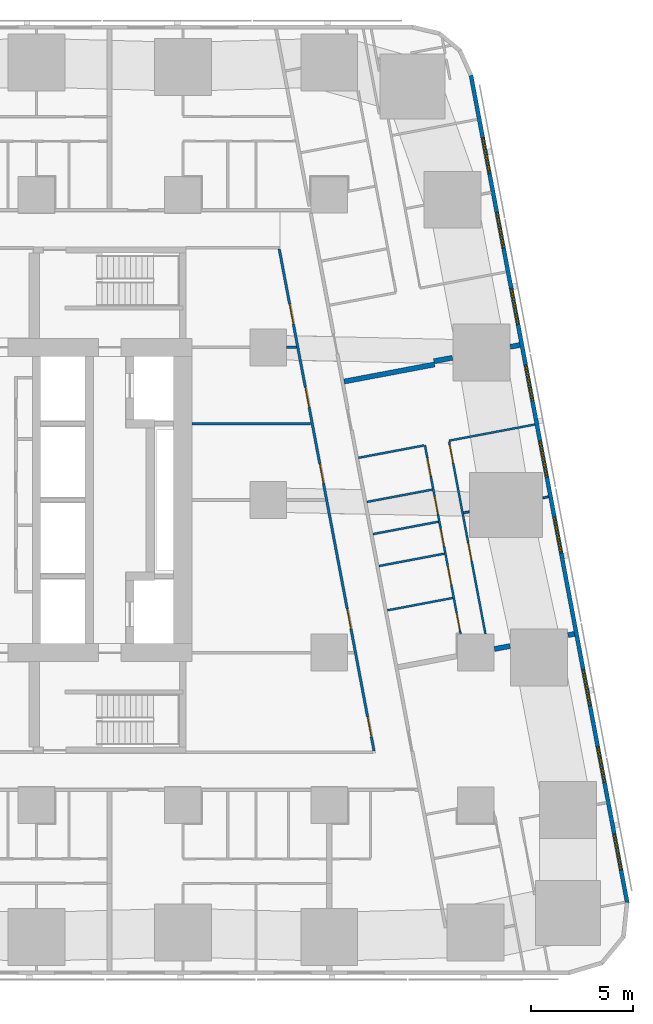
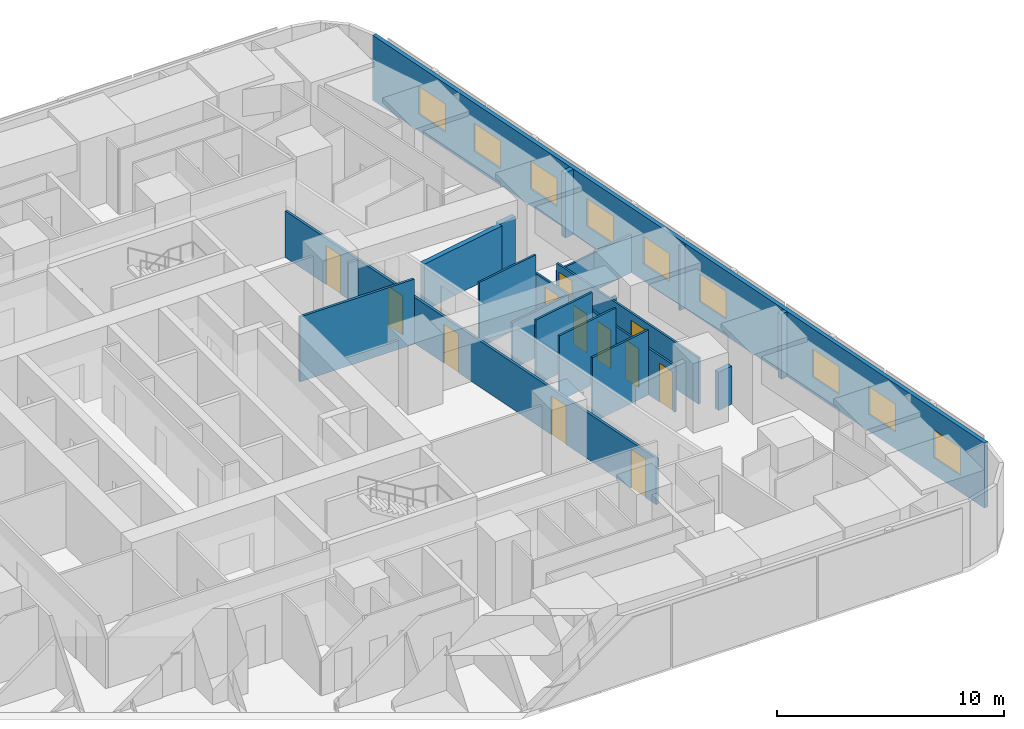
# One storey, part 10 of 18: 19 walls, 12 doors, 9 windows, 21 openings.
"""IFC4 building model written with IfcOpenShell, lengths in metres."""

from ifc_helpers import new_model, si_unit, direction, frame, frame_2d, origin, place, context, subcontext, project, spatial, rectangle, extrude, material, layer, layer_set, type_object, element, fill, save


model = new_model("IFC4")

# Units and contexts
model_context = context("Model", 3, precision=1e-05, world=origin(), true_north=direction((0.0, 1.0)))
body_context = subcontext(model_context, "Body", "Model", "MODEL_VIEW")
ifc_project = project(units=[si_unit("LENGTHUNIT", "METRE"), si_unit("AREAUNIT", "SQUARE_METRE"), si_unit("VOLUMEUNIT", "CUBIC_METRE"), si_unit("PLANEANGLEUNIT", "RADIAN"), si_unit("MASSUNIT", "GRAM", prefix="KILO")], contexts=[model_context])

# Site, building, storey
site_placement = place(None, origin())
site = spatial("IfcSite", under=ifc_project, at=site_placement, CompositionType="ELEMENT")
building_placement = place(site_placement, origin())
building = spatial("IfcBuilding", under=site, at=building_placement, Name="Sheger Commons Tower", CompositionType="ELEMENT")
storey_placement = place(building_placement, frame((0.0, 0.0, 31.25)))
storey = spatial("IfcBuildingStorey", under=building, at=storey_placement, Name="L07", CompositionType="ELEMENT", Elevation=31.25)

# Walls
ifc_material_1 = material(Name="Dense concrete block masonry, plastered both sides (separating wall between flats)", Category="masonry")
ifc_layer_1 = layer(ifc_material_1, 0.25)
ifc_layer_set_1 = layer_set([ifc_layer_1], Name="DEMISING WALL 250")
wall_type_1 = type_object("IfcWallType", Name="DEMISING WALL 250", PredefinedType="SOLIDWALL", material=ifc_layer_set_1)
wall_1_placement = place(storey_placement, frame((45.3720703125, 30.12109375, 0.0), z_axis=(0.0, 0.0, 1.0), x_axis=(-0.982352019699, -0.187041464366, 0.0)))
element("IfcWall", 1, at=wall_1_placement, inside=storey, type_object=wall_type_1, Name="Demising wall L07", PredefinedType="SOLIDWALL", context=body_context, shape_type="SweptSolid", body=[
    extrude(rectangle(XDim=0.476318359375, YDim=0.25, at=frame_2d((0.23828125, 0.0))), origin(), (0.0, 0.0, 1.0), 3.5),
])
wall_2_placement = place(storey_placement, frame((42.055908203125, 29.493896484375, 0.0), z_axis=(0.0, 0.0, 1.0), x_axis=(-0.982587178881, -0.185802141803, 0.0)))
element("IfcWall", 2, at=wall_2_placement, inside=storey, type_object=wall_type_1, Name="Demising wall L07", PredefinedType="SOLIDWALL", context=body_context, shape_type="SweptSolid", body=[
    extrude(rectangle(XDim=0.925048828125, YDim=0.25, at=frame_2d((0.46240234375, 0.0))), origin(), (0.0, 0.0, 1.0), 2.5),
])
wall_3_placement = place(storey_placement, frame((41.177001953125, 29.1640625, 0.0), z_axis=(0.0, 0.0, 1.0), x_axis=(-0.982612837616, -0.185666398014, 0.0)))
element("IfcWall", 3, at=wall_3_placement, inside=storey, type_object=wall_type_1, Name="Demising wall L07", PredefinedType="SOLIDWALL", context=body_context, shape_type="SweptSolid", body=[
    extrude(rectangle(XDim=4.524658203125, YDim=0.25, at=frame_2d((2.26220703125, 0.0))), origin(), (0.0, 0.0, 1.0), 2.5),
])
wall_4_placement = place(storey_placement, frame((48.054931640625, 15.9169921875, 0.0), z_axis=(0.0, 0.0, 1.0), x_axis=(-0.982510408223, -0.186207673669, 0.0)))
element("IfcWall", 4, at=wall_4_placement, inside=storey, type_object=wall_type_1, Name="Demising wall L07", PredefinedType="SOLIDWALL", context=body_context, shape_type="SweptSolid", body=[
    extrude(rectangle(XDim=0.322509765625, YDim=0.25, at=frame_2d((0.1611328125, 0.0))), origin(), (0.0, 0.0, 1.0), 3.5),
])
wall_5_placement = place(storey_placement, frame((44.889892578125, 15.319091796875, 0.0), z_axis=(0.0, 0.0, 1.0), x_axis=(-0.982540856152, -0.186046945666, 0.0)))
element("IfcWall", 5, at=wall_5_placement, inside=storey, type_object=wall_type_1, Name="Demising wall L07", PredefinedType="SOLIDWALL", context=body_context, shape_type="SweptSolid", body=[
    extrude(rectangle(XDim=0.779541015625, YDim=0.25, at=frame_2d((0.3896484375, 0.0))), origin(), (0.0, 0.0, 1.0), 2.050048828125),
])

# Wall, openings, windows
ifc_material_2 = material(Name="Rendered concrete block masonry, dark grey", Category="masonry")
ifc_layer_2 = layer(ifc_material_2, 0.199951171875)
ifc_layer_set_2 = layer_set([ifc_layer_2], Name="FACADE WALL 200")
wall_type_2 = type_object("IfcWallType", Name="FACADE WALL 200", PredefinedType="SOLIDWALL", material=ifc_layer_set_2)
wall_6_placement = place(storey_placement, frame((50.653076171875, 2.702880859375, 0.0), z_axis=(0.0, 0.0, 1.0), x_axis=(-0.185612026696, 0.982623109613, 0.0)))
wall_6 = element("IfcWall", 6, at=wall_6_placement, inside=storey, type_object=wall_type_2, Name="Facade wall L07", PredefinedType="SOLIDWALL", context=body_context, shape_type="SweptSolid", body=[
    extrude(rectangle(XDim=41.393310546875, YDim=0.199951171875, at=frame_2d((20.69677734375, 0.0))), origin(), (0.0, 0.0, 1.0), 3.5),
])
opening_1_placement = place(wall_6_placement, frame((1.633056640625, 0.0, 0.89990234375)))
opening_1 = element("IfcOpeningElement", 7, at=opening_1_placement, cuts=wall_6, Name="Opening W2", PredefinedType="OPENING", context=body_context, shape_type="SweptSolid", body=[
    extrude(rectangle(XDim=1.800048828125, YDim=1.5, at=frame_2d((0.89990234375, 0.75))), frame((0.0, 0.10986328125, 0.0), z_axis=(0.0, -1.0, 0.0), x_axis=(1.0, 0.0, 0.0)), (0.0, 0.0, 1.0), 0.219970703125),
])
opening_2_placement = place(wall_6_placement, frame((6.031982421875, 0.0, 0.89990234375)))
opening_2 = element("IfcOpeningElement", 8, at=opening_2_placement, cuts=wall_6, Name="Opening W2", PredefinedType="OPENING", context=body_context, shape_type="SweptSolid", body=[
    extrude(rectangle(XDim=1.800048828125, YDim=1.5, at=frame_2d((0.89990234375, 0.75))), frame((0.0, 0.10986328125, 0.0), z_axis=(0.0, -1.0, 0.0), x_axis=(1.0, 0.0, 0.0)), (0.0, 0.0, 1.0), 0.219970703125),
])
opening_3_placement = place(wall_6_placement, frame((9.847900390625, 0.0, 0.89990234375)))
opening_3 = element("IfcOpeningElement", 9, at=opening_3_placement, cuts=wall_6, Name="Opening W2", PredefinedType="OPENING", context=body_context, shape_type="SweptSolid", body=[
    extrude(rectangle(XDim=1.800048828125, YDim=1.5, at=frame_2d((0.89990234375, 0.75))), frame((0.0, 0.10986328125, 0.0), z_axis=(0.0, -1.0, 0.0), x_axis=(1.0, 0.0, 0.0)), (0.0, 0.0, 1.0), 0.219970703125),
])
opening_4_placement = place(wall_6_placement, frame((17.48095703125, 0.0, 0.89990234375)))
opening_4 = element("IfcOpeningElement", 10, at=opening_4_placement, cuts=wall_6, Name="Opening W2", PredefinedType="OPENING", context=body_context, shape_type="SweptSolid", body=[
    extrude(rectangle(XDim=1.800048828125, YDim=1.5, at=frame_2d((0.89990234375, 0.75))), frame((0.0, 0.10986328125, 0.0), z_axis=(0.0, -1.0, 0.0), x_axis=(1.0, 0.0, 0.0)), (0.0, 0.0, 1.0), 0.219970703125),
])
opening_5_placement = place(wall_6_placement, frame((21.297119140625, 0.0, 0.89990234375)))
opening_5 = element("IfcOpeningElement", 11, at=opening_5_placement, cuts=wall_6, Name="Opening W2", PredefinedType="OPENING", context=body_context, shape_type="SweptSolid", body=[
    extrude(rectangle(XDim=1.800048828125, YDim=1.5, at=frame_2d((0.89990234375, 0.75))), frame((0.0, 0.10986328125, 0.0), z_axis=(0.0, -1.0, 0.0), x_axis=(1.0, 0.0, 0.0)), (0.0, 0.0, 1.0), 0.219970703125),
])
opening_6_placement = place(wall_6_placement, frame((25.113037109375, 0.0, 0.89990234375)))
opening_6 = element("IfcOpeningElement", 12, at=opening_6_placement, cuts=wall_6, Name="Opening W2", PredefinedType="OPENING", context=body_context, shape_type="SweptSolid", body=[
    extrude(rectangle(XDim=1.800048828125, YDim=1.5, at=frame_2d((0.89990234375, 0.75))), frame((0.0, 0.10986328125, 0.0), z_axis=(0.0, -1.0, 0.0), x_axis=(1.0, 0.0, 0.0)), (0.0, 0.0, 1.0), 0.219970703125),
])
opening_7_placement = place(wall_6_placement, frame((28.929931640625, 0.0, 0.89990234375)))
opening_7 = element("IfcOpeningElement", 13, at=opening_7_placement, cuts=wall_6, Name="Opening W2", PredefinedType="OPENING", context=body_context, shape_type="SweptSolid", body=[
    extrude(rectangle(XDim=1.800048828125, YDim=1.5, at=frame_2d((0.89990234375, 0.75))), frame((0.0, 0.10986328125, 0.0), z_axis=(0.0, -1.0, 0.0), x_axis=(1.0, 0.0, 0.0)), (0.0, 0.0, 1.0), 0.219970703125),
])
opening_8_placement = place(wall_6_placement, frame((32.74609375, 0.0, 0.89990234375)))
opening_8 = element("IfcOpeningElement", 14, at=opening_8_placement, cuts=wall_6, Name="Opening W2", PredefinedType="OPENING", context=body_context, shape_type="SweptSolid", body=[
    extrude(rectangle(XDim=1.800048828125, YDim=1.5, at=frame_2d((0.89990234375, 0.75))), frame((0.0, 0.10986328125, 0.0), z_axis=(0.0, -1.0, 0.0), x_axis=(1.0, 0.0, 0.0)), (0.0, 0.0, 1.0), 0.219970703125),
])
opening_9_placement = place(wall_6_placement, frame((36.48095703125, 0.0, 0.89990234375)))
opening_9 = element("IfcOpeningElement", 15, at=opening_9_placement, cuts=wall_6, Name="Opening W2", PredefinedType="OPENING", context=body_context, shape_type="SweptSolid", body=[
    extrude(rectangle(XDim=1.800048828125, YDim=1.5, at=frame_2d((0.89990234375, 0.75))), frame((0.0, 0.10986328125, 0.0), z_axis=(0.0, -1.0, 0.0), x_axis=(1.0, 0.0, 0.0)), (0.0, 0.0, 1.0), 0.219970703125),
])
ifc_material_3 = material(Name="Black aluminium frame, dark tinted double glazing", Category="aluminium")
window_type = type_object("IfcWindowType", Name="WINDOW W2 1800x1500", PartitioningType="SINGLE_PANEL", PredefinedType="WINDOW", material=ifc_material_3)
window_1_placement = place(opening_1_placement, origin())
window_1 = element("IfcWindow", 16, at=window_1_placement, inside=storey, type_object=window_type, Name="Window W2 1800X1500", OverallHeight=1.5, OverallWidth=1.800048828125, PartitioningType="SINGLE_PANEL", PredefinedType="WINDOW", context=body_context, shape_type="SweptSolid", body=[
    extrude(rectangle(XDim=1.800048828125, YDim=1.5, at=frame_2d((0.89990234375, 0.75))), frame((0.0, 0.030029296875, 0.0), z_axis=(0.0, -1.0, 0.0), x_axis=(1.0, 0.0, 0.0)), (0.0, 0.0, 1.0), 0.06005859375),
])
fill(opening_1, window_1)
window_2_placement = place(opening_2_placement, origin())
window_2 = element("IfcWindow", 17, at=window_2_placement, inside=storey, type_object=window_type, Name="Window W2 1800X1500", OverallHeight=1.5, OverallWidth=1.800048828125, PartitioningType="SINGLE_PANEL", PredefinedType="WINDOW", context=body_context, shape_type="SweptSolid", body=[
    extrude(rectangle(XDim=1.800048828125, YDim=1.5, at=frame_2d((0.89990234375, 0.75))), frame((0.0, 0.030029296875, 0.0), z_axis=(0.0, -1.0, 0.0), x_axis=(1.0, 0.0, 0.0)), (0.0, 0.0, 1.0), 0.06005859375),
])
fill(opening_2, window_2)
window_3_placement = place(opening_3_placement, origin())
window_3 = element("IfcWindow", 18, at=window_3_placement, inside=storey, type_object=window_type, Name="Window W2 1800X1500", OverallHeight=1.5, OverallWidth=1.800048828125, PartitioningType="SINGLE_PANEL", PredefinedType="WINDOW", context=body_context, shape_type="SweptSolid", body=[
    extrude(rectangle(XDim=1.800048828125, YDim=1.5, at=frame_2d((0.89990234375, 0.75))), frame((0.0, 0.030029296875, 0.0), z_axis=(0.0, -1.0, 0.0), x_axis=(1.0, 0.0, 0.0)), (0.0, 0.0, 1.0), 0.06005859375),
])
fill(opening_3, window_3)
window_4_placement = place(opening_4_placement, origin())
window_4 = element("IfcWindow", 19, at=window_4_placement, inside=storey, type_object=window_type, Name="Window W2 1800X1500", OverallHeight=1.5, OverallWidth=1.800048828125, PartitioningType="SINGLE_PANEL", PredefinedType="WINDOW", context=body_context, shape_type="SweptSolid", body=[
    extrude(rectangle(XDim=1.800048828125, YDim=1.5, at=frame_2d((0.89990234375, 0.75))), frame((0.0, 0.030029296875, 0.0), z_axis=(0.0, -1.0, 0.0), x_axis=(1.0, 0.0, 0.0)), (0.0, 0.0, 1.0), 0.06005859375),
])
fill(opening_4, window_4)
window_5_placement = place(opening_5_placement, origin())
window_5 = element("IfcWindow", 20, at=window_5_placement, inside=storey, type_object=window_type, Name="Window W2 1800X1500", OverallHeight=1.5, OverallWidth=1.800048828125, PartitioningType="SINGLE_PANEL", PredefinedType="WINDOW", context=body_context, shape_type="SweptSolid", body=[
    extrude(rectangle(XDim=1.800048828125, YDim=1.5, at=frame_2d((0.89990234375, 0.75))), frame((0.0, 0.030029296875, 0.0), z_axis=(0.0, -1.0, 0.0), x_axis=(1.0, 0.0, 0.0)), (0.0, 0.0, 1.0), 0.06005859375),
])
fill(opening_5, window_5)
window_6_placement = place(opening_6_placement, origin())
window_6 = element("IfcWindow", 21, at=window_6_placement, inside=storey, type_object=window_type, Name="Window W2 1800X1500", OverallHeight=1.5, OverallWidth=1.800048828125, PartitioningType="SINGLE_PANEL", PredefinedType="WINDOW", context=body_context, shape_type="SweptSolid", body=[
    extrude(rectangle(XDim=1.800048828125, YDim=1.5, at=frame_2d((0.89990234375, 0.75))), frame((0.0, 0.030029296875, 0.0), z_axis=(0.0, -1.0, 0.0), x_axis=(1.0, 0.0, 0.0)), (0.0, 0.0, 1.0), 0.06005859375),
])
fill(opening_6, window_6)
window_7_placement = place(opening_7_placement, origin())
window_7 = element("IfcWindow", 22, at=window_7_placement, inside=storey, type_object=window_type, Name="Window W2 1800X1500", OverallHeight=1.5, OverallWidth=1.800048828125, PartitioningType="SINGLE_PANEL", PredefinedType="WINDOW", context=body_context, shape_type="SweptSolid", body=[
    extrude(rectangle(XDim=1.800048828125, YDim=1.5, at=frame_2d((0.89990234375, 0.75))), frame((0.0, 0.030029296875, 0.0), z_axis=(0.0, -1.0, 0.0), x_axis=(1.0, 0.0, 0.0)), (0.0, 0.0, 1.0), 0.06005859375),
])
fill(opening_7, window_7)
window_8_placement = place(opening_8_placement, origin())
window_8 = element("IfcWindow", 23, at=window_8_placement, inside=storey, type_object=window_type, Name="Window W2 1800X1500", OverallHeight=1.5, OverallWidth=1.800048828125, PartitioningType="SINGLE_PANEL", PredefinedType="WINDOW", context=body_context, shape_type="SweptSolid", body=[
    extrude(rectangle(XDim=1.800048828125, YDim=1.5, at=frame_2d((0.89990234375, 0.75))), frame((0.0, 0.030029296875, 0.0), z_axis=(0.0, -1.0, 0.0), x_axis=(1.0, 0.0, 0.0)), (0.0, 0.0, 1.0), 0.06005859375),
])
fill(opening_8, window_8)
window_9_placement = place(opening_9_placement, origin())
window_9 = element("IfcWindow", 24, at=window_9_placement, inside=storey, type_object=window_type, Name="Window W2 1800X1500", OverallHeight=1.5, OverallWidth=1.800048828125, PartitioningType="SINGLE_PANEL", PredefinedType="WINDOW", context=body_context, shape_type="SweptSolid", body=[
    extrude(rectangle(XDim=1.800048828125, YDim=1.5, at=frame_2d((0.89990234375, 0.75))), frame((0.0, 0.030029296875, 0.0), z_axis=(0.0, -1.0, 0.0), x_axis=(1.0, 0.0, 0.0)), (0.0, 0.0, 1.0), 0.06005859375),
])
fill(opening_9, window_9)

# Wall, openings, doors
ifc_material_4 = material(Name="Gypsum board on steel studs", Category="steel")
ifc_layer_3 = layer(ifc_material_4, 0.10009765625)
ifc_layer_set_3 = layer_set([ifc_layer_3], Name="PARTITION 100")
wall_type_3 = type_object("IfcWallType", Name="PARTITION 100", PredefinedType="PARTITIONING", material=ifc_layer_set_3)
wall_7_placement = place(storey_placement, frame((41.89404296875, 25.365966796875, 0.0), z_axis=(0.0, 0.0, 1.0), x_axis=(0.185581190027, -0.982628933987, 0.0)))
wall_7 = element("IfcWall", 25, at=wall_7_placement, inside=storey, type_object=wall_type_3, Name="Partition L07", PredefinedType="PARTITIONING", context=body_context, shape_type="SweptSolid", body=[
    extrude(rectangle(XDim=9.623291015625, YDim=0.10009765625, at=frame_2d((4.8115234375, 0.0))), origin(), (0.0, 0.0, 1.0), 2.5),
])
opening_10_placement = place(wall_7_placement, frame((0.15087890625, 0.0, 0.0)))
opening_10 = element("IfcOpeningElement", 26, at=opening_10_placement, cuts=wall_7, Name="Opening D2", PredefinedType="OPENING", context=body_context, shape_type="SweptSolid", body=[
    extrude(rectangle(XDim=0.89990234375, YDim=2.10009765625, at=frame_2d((0.449951171875, 1.050048828125))), frame((0.0, 0.06005859375, 0.0), z_axis=(0.0, -1.0, 0.0), x_axis=(1.0, 0.0, 0.0)), (0.0, 0.0, 1.0), 0.1201171875),
])
opening_11_placement = place(wall_7_placement, frame((5.050048828125, 0.0, 0.0)))
opening_11 = element("IfcOpeningElement", 27, at=opening_11_placement, cuts=wall_7, Name="Opening D2", PredefinedType="OPENING", context=body_context, shape_type="SweptSolid", body=[
    extrude(rectangle(XDim=0.89990234375, YDim=2.10009765625, at=frame_2d((0.449951171875, 1.050048828125))), frame((0.0, 0.06005859375, 0.0), z_axis=(0.0, -1.0, 0.0), x_axis=(1.0, 0.0, 0.0)), (0.0, 0.0, 1.0), 0.1201171875),
])
ifc_material_5 = material(Name="Timber door set", Category="wood")
door_type_1 = type_object("IfcDoorType", Name="INTERNAL DOOR 900x2100", OperationType="NOTDEFINED", PredefinedType="DOOR", material=ifc_material_5)
door_1_placement = place(opening_10_placement, origin())
door_1 = element("IfcDoor", 28, at=door_1_placement, inside=storey, type_object=door_type_1, Name="Main bedroom door", OperationType="SINGLE_SWING_LEFT", OverallHeight=2.10009765625, OverallWidth=0.89990234375, PredefinedType="DOOR", context=body_context, shape_type="SweptSolid", body=[
    extrude(rectangle(XDim=0.89990234375, YDim=2.10009765625, at=frame_2d((0.449951171875, 1.050048828125))), frame((0.0, 0.02490234375, 0.0), z_axis=(0.0, -1.0, 0.0), x_axis=(1.0, 0.0, 0.0)), (0.0, 0.0, 1.0), 0.050048828125),
])
fill(opening_10, door_1)
door_2_placement = place(opening_11_placement, origin())
door_2 = element("IfcDoor", 29, at=door_2_placement, inside=storey, type_object=door_type_1, Name="Bedroom 2 door", OperationType="SINGLE_SWING_LEFT", OverallHeight=2.10009765625, OverallWidth=0.89990234375, PredefinedType="DOOR", context=body_context, shape_type="SweptSolid", body=[
    extrude(rectangle(XDim=0.89990234375, YDim=2.10009765625, at=frame_2d((0.449951171875, 1.050048828125))), frame((0.0, 0.02490234375, 0.0), z_axis=(0.0, -1.0, 0.0), x_axis=(1.0, 0.0, 0.0)), (0.0, 0.0, 1.0), 0.050048828125),
])
fill(opening_11, door_2)

wall_8_placement = place(storey_placement, frame((40.7060546875, 25.19189453125, 0.0), z_axis=(0.0, 0.0, 1.0), x_axis=(0.185572668944, -0.982630543257, 0.0)))
wall_8 = element("IfcWall", 30, at=wall_8_placement, inside=storey, type_object=wall_type_3, Name="Partition L07", PredefinedType="PARTITIONING", context=body_context, shape_type="SweptSolid", body=[
    extrude(rectangle(XDim=9.446044921875, YDim=0.10009765625, at=frame_2d((4.72314453125, 0.0))), origin(), (0.0, 0.0, 1.0), 2.5),
])
opening_12_placement = place(wall_8_placement, frame((0.655029296875, 0.0, 0.0)))
opening_12 = element("IfcOpeningElement", 31, at=opening_12_placement, cuts=wall_8, Name="Opening D2", PredefinedType="OPENING", context=body_context, shape_type="SweptSolid", body=[
    extrude(rectangle(XDim=0.89990234375, YDim=2.10009765625, at=frame_2d((0.449951171875, 1.050048828125))), frame((0.0, 0.06005859375, 0.0), z_axis=(0.0, -1.0, 0.0), x_axis=(1.0, 0.0, 0.0)), (0.0, 0.0, 1.0), 0.1201171875),
])
opening_13_placement = place(wall_8_placement, frame((4.166015625, 0.0, 0.0)))
opening_13 = element("IfcOpeningElement", 32, at=opening_13_placement, cuts=wall_8, Name="Opening D2", PredefinedType="OPENING", context=body_context, shape_type="SweptSolid", body=[
    extrude(rectangle(XDim=0.89990234375, YDim=2.10009765625, at=frame_2d((0.449951171875, 1.050048828125))), frame((0.0, 0.06005859375, 0.0), z_axis=(0.0, -1.0, 0.0), x_axis=(1.0, 0.0, 0.0)), (0.0, 0.0, 1.0), 0.1201171875),
])
opening_14_placement = place(wall_8_placement, frame((8.39599609375, 0.0, 0.0)))
opening_14 = element("IfcOpeningElement", 33, at=opening_14_placement, cuts=wall_8, Name="Opening D2", PredefinedType="OPENING", context=body_context, shape_type="SweptSolid", body=[
    extrude(rectangle(XDim=0.89990234375, YDim=2.10009765625, at=frame_2d((0.449951171875, 1.050048828125))), frame((0.0, 0.06005859375, 0.0), z_axis=(0.0, -1.0, 0.0), x_axis=(1.0, 0.0, 0.0)), (0.0, 0.0, 1.0), 0.1201171875),
])
opening_15_placement = place(wall_8_placement, frame((2.56298828125, 0.0, 0.0)))
opening_15 = element("IfcOpeningElement", 34, at=opening_15_placement, cuts=wall_8, Name="Opening D2", PredefinedType="OPENING", context=body_context, shape_type="SweptSolid", body=[
    extrude(rectangle(XDim=0.89990234375, YDim=2.10009765625, at=frame_2d((0.449951171875, 1.050048828125))), frame((0.0, 0.06005859375, 0.0), z_axis=(0.0, -1.0, 0.0), x_axis=(1.0, 0.0, 0.0)), (0.0, 0.0, 1.0), 0.1201171875),
])
opening_16_placement = place(wall_8_placement, frame((6.073974609375, 0.0, 0.0)))
opening_16 = element("IfcOpeningElement", 35, at=opening_16_placement, cuts=wall_8, Name="Opening D2", PredefinedType="OPENING", context=body_context, shape_type="SweptSolid", body=[
    extrude(rectangle(XDim=0.89990234375, YDim=2.10009765625, at=frame_2d((0.449951171875, 1.050048828125))), frame((0.0, 0.06005859375, 0.0), z_axis=(0.0, -1.0, 0.0), x_axis=(1.0, 0.0, 0.0)), (0.0, 0.0, 1.0), 0.1201171875),
])
door_3_placement = place(opening_12_placement, origin())
door_3 = element("IfcDoor", 36, at=door_3_placement, inside=storey, type_object=door_type_1, Name="Bathroom door", OperationType="SINGLE_SWING_RIGHT", OverallHeight=2.10009765625, OverallWidth=0.89990234375, PredefinedType="DOOR", context=body_context, shape_type="SweptSolid", body=[
    extrude(rectangle(XDim=0.89990234375, YDim=2.10009765625, at=frame_2d((0.449951171875, 1.050048828125))), frame((0.0, 0.02490234375, 0.0), z_axis=(0.0, -1.0, 0.0), x_axis=(1.0, 0.0, 0.0)), (0.0, 0.0, 1.0), 0.050048828125),
])
fill(opening_12, door_3)
door_4_placement = place(opening_13_placement, origin())
door_4 = element("IfcDoor", 37, at=door_4_placement, inside=storey, type_object=door_type_1, Name="Shower room door", OperationType="SINGLE_SWING_RIGHT", OverallHeight=2.10009765625, OverallWidth=0.89990234375, PredefinedType="DOOR", context=body_context, shape_type="SweptSolid", body=[
    extrude(rectangle(XDim=0.89990234375, YDim=2.10009765625, at=frame_2d((0.449951171875, 1.050048828125))), frame((0.0, 0.02490234375, 0.0), z_axis=(0.0, -1.0, 0.0), x_axis=(1.0, 0.0, 0.0)), (0.0, 0.0, 1.0), 0.050048828125),
])
fill(opening_13, door_4)
door_5_placement = place(opening_14_placement, origin())
door_5 = element("IfcDoor", 38, at=door_5_placement, inside=storey, type_object=door_type_1, Name="Store and laundry door", OperationType="SINGLE_SWING_LEFT", OverallHeight=2.10009765625, OverallWidth=0.89990234375, PredefinedType="DOOR", context=body_context, shape_type="SweptSolid", body=[
    extrude(rectangle(XDim=0.89990234375, YDim=2.10009765625, at=frame_2d((0.449951171875, 1.050048828125))), frame((0.0, 0.02490234375, 0.0), z_axis=(0.0, -1.0, 0.0), x_axis=(1.0, 0.0, 0.0)), (0.0, 0.0, 1.0), 0.050048828125),
])
fill(opening_14, door_5)
door_6_placement = place(opening_15_placement, origin())
door_6 = element("IfcDoor", 39, at=door_6_placement, inside=storey, type_object=door_type_1, Name="Store door", OperationType="SINGLE_SWING_LEFT", OverallHeight=2.10009765625, OverallWidth=0.89990234375, PredefinedType="DOOR", context=body_context, shape_type="SweptSolid", body=[
    extrude(rectangle(XDim=0.89990234375, YDim=2.10009765625, at=frame_2d((0.449951171875, 1.050048828125))), frame((0.0, 0.02490234375, 0.0), z_axis=(0.0, -1.0, 0.0), x_axis=(1.0, 0.0, 0.0)), (0.0, 0.0, 1.0), 0.050048828125),
])
fill(opening_15, door_6)
door_7_placement = place(opening_16_placement, origin())
door_7 = element("IfcDoor", 40, at=door_7_placement, inside=storey, type_object=door_type_1, Name="Store door", OperationType="SINGLE_SWING_LEFT", OverallHeight=2.10009765625, OverallWidth=0.89990234375, PredefinedType="DOOR", context=body_context, shape_type="SweptSolid", body=[
    extrude(rectangle(XDim=0.89990234375, YDim=2.10009765625, at=frame_2d((0.449951171875, 1.050048828125))), frame((0.0, 0.02490234375, 0.0), z_axis=(0.0, -1.0, 0.0), x_axis=(1.0, 0.0, 0.0)), (0.0, 0.0, 1.0), 0.050048828125),
])
fill(opening_16, door_7)

# Walls
wall_9_placement = place(storey_placement, frame((46.110107421875, 26.212890625, 0.0), z_axis=(0.0, 0.0, 1.0), x_axis=(-0.982633535512, -0.185556823879, 0.0)))
element("IfcWall", 41, at=wall_9_placement, inside=storey, type_object=wall_type_3, Name="Partition L07", PredefinedType="PARTITIONING", context=body_context, shape_type="SweptSolid", body=[
    extrude(rectangle(XDim=4.2998046875, YDim=0.10009765625, at=frame_2d((2.14990234375, 0.0))), origin(), (0.0, 0.0, 1.0), 2.050048828125),
])
wall_10_placement = place(storey_placement, frame((46.781982421875, 22.656982421875, 0.0), z_axis=(0.0, 0.0, 1.0), x_axis=(-0.982574553168, -0.185868898601, 0.0)))
element("IfcWall", 42, at=wall_10_placement, inside=storey, type_object=wall_type_3, Name="Partition L07", PredefinedType="PARTITIONING", context=body_context, shape_type="SweptSolid", body=[
    extrude(rectangle(XDim=0.27978515625, YDim=0.10009765625, at=frame_2d((0.139892578125, 0.0))), origin(), (0.0, 0.0, 1.0), 3.5),
])
wall_11_placement = place(storey_placement, frame((42.886962890625, 21.9208984375, 0.0), z_axis=(0.0, 0.0, 1.0), x_axis=(-0.982688058078, -0.185267861514, 0.0)))
element("IfcWall", 43, at=wall_11_placement, inside=storey, type_object=wall_type_3, Name="Partition L07", PredefinedType="PARTITIONING", context=body_context, shape_type="SweptSolid", body=[
    extrude(rectangle(XDim=0.285888671875, YDim=0.10009765625, at=frame_2d((0.14306640625, 0.0))), origin(), (0.0, 0.0, 1.0), 2.5),
])
for number, where, z_axis, x_axis, name in (
    (44, (40.656982421875, 25.18310546875, 0.0), (0.0, 0.0, 1.0), (-0.982607026909, -0.185697147715, 0.0), "Partition L07"),
    (45, (41.364990234375, 21.43310546875, 0.0), (0.0, 0.0, 1.0), (-0.982607026909, -0.185697147715, 0.0), "Partition L07"),
    (46, (42.072998046875, 17.68310546875, 0.0), (0.0, 0.0, 1.0), (-0.982607026909, -0.185697147715, 0.0), "Partition L07"),
):
    element("IfcWall", number, at=place(storey_placement, frame(where, z_axis=z_axis, x_axis=x_axis)), inside=storey, type_object=wall_type_3, Name=name, PredefinedType="PARTITIONING", context=body_context, shape_type="SweptSolid", body=[
        extrude(rectangle(XDim=3.27490234375, YDim=0.10009765625, at=frame_2d((1.637451171875, 0.0))), origin(), (0.0, 0.0, 1.0), 3.5),
    ])
wall_12_placement = place(storey_placement, frame((41.06689453125, 23.010986328125, 0.0), z_axis=(0.0, 0.0, 1.0), x_axis=(-0.982618057925, -0.185638768151, 0.0)))
element("IfcWall", 47, at=wall_12_placement, inside=storey, type_object=wall_type_3, Name="Partition L07", PredefinedType="PARTITIONING", context=body_context, shape_type="SweptSolid", body=[
    extrude(rectangle(XDim=3.274658203125, YDim=0.10009765625, at=frame_2d((1.63720703125, 0.0))), origin(), (0.0, 0.0, 1.0), 2.5),
])
wall_13_placement = place(storey_placement, frame((41.662109375, 19.861083984375, 0.0), z_axis=(0.0, 0.0, 1.0), x_axis=(-0.982607026909, -0.185697147715, 0.0)))
element("IfcWall", 48, at=wall_13_placement, inside=storey, type_object=wall_type_3, Name="Partition L07", PredefinedType="PARTITIONING", context=body_context, shape_type="SweptSolid", body=[
    extrude(rectangle(XDim=3.27490234375, YDim=0.10009765625, at=frame_2d((1.637451171875, 0.0))), origin(), (0.0, 0.0, 1.0), 3.5),
])

# Wall, openings, doors
ifc_material_6 = material(Name="Gypsum board on steel studs, two layers each side, fire rated", Category="steel")
ifc_layer_4 = layer(ifc_material_6, 0.125)
ifc_layer_set_4 = layer_set([ifc_layer_4], Name="SERVICE WALL 125")
wall_type_4 = type_object("IfcWallType", Name="SERVICE WALL 125", PredefinedType="PARTITIONING", material=ifc_layer_set_4)
wall_14_placement = place(storey_placement, frame((38.201904296875, 10.1630859375, 0.0), z_axis=(0.0, 0.0, 1.0), x_axis=(-0.185610321132, 0.982623431783, 0.0)))
wall_14 = element("IfcWall", 49, at=wall_14_placement, inside=storey, type_object=wall_type_4, Name="Service room wall L07", PredefinedType="PARTITIONING", context=body_context, shape_type="SweptSolid", body=[
    extrude(rectangle(XDim=25.111083984375, YDim=0.125, at=frame_2d((12.5556640625, 0.0))), origin(), (0.0, 0.0, 1.0), 2.5),
])
opening_17_placement = place(wall_14_placement, frame((0.7080078125, 0.0, 0.0)))
opening_17 = element("IfcOpeningElement", 50, at=opening_17_placement, cuts=wall_14, Name="Opening D4", PredefinedType="OPENING", context=body_context, shape_type="SweptSolid", body=[
    extrude(rectangle(XDim=1.0, YDim=2.10009765625, at=frame_2d((0.5, 1.050048828125))), frame((0.0, 0.072509765625, 0.0), z_axis=(0.0, -1.0, 0.0), x_axis=(1.0, 0.0, 0.0)), (0.0, 0.0, 1.0), 0.14501953125),
])
opening_18_placement = place(wall_14_placement, frame((6.10009765625, 0.0, 0.0)))
opening_18 = element("IfcOpeningElement", 51, at=opening_18_placement, cuts=wall_14, Name="Opening D4", PredefinedType="OPENING", context=body_context, shape_type="SweptSolid", body=[
    extrude(rectangle(XDim=1.0, YDim=2.10009765625, at=frame_2d((0.5, 1.050048828125))), frame((0.0, 0.072509765625, 0.0), z_axis=(0.0, -1.0, 0.0), x_axis=(1.0, 0.0, 0.0)), (0.0, 0.0, 1.0), 0.14501953125),
])
opening_19_placement = place(wall_14_placement, frame((13.3779296875, 0.0, 0.0)))
opening_19 = element("IfcOpeningElement", 52, at=opening_19_placement, cuts=wall_14, Name="Opening D4", PredefinedType="OPENING", context=body_context, shape_type="SweptSolid", body=[
    extrude(rectangle(XDim=1.0, YDim=2.10009765625, at=frame_2d((0.5, 1.050048828125))), frame((0.0, 0.072509765625, 0.0), z_axis=(0.0, -1.0, 0.0), x_axis=(1.0, 0.0, 0.0)), (0.0, 0.0, 1.0), 0.14501953125),
])
opening_20_placement = place(wall_14_placement, frame((17.194091796875, 0.0, 0.0)))
opening_20 = element("IfcOpeningElement", 53, at=opening_20_placement, cuts=wall_14, Name="Opening D4", PredefinedType="OPENING", context=body_context, shape_type="SweptSolid", body=[
    extrude(rectangle(XDim=1.0, YDim=2.10009765625, at=frame_2d((0.5, 1.050048828125))), frame((0.0, 0.072509765625, 0.0), z_axis=(0.0, -1.0, 0.0), x_axis=(1.0, 0.0, 0.0)), (0.0, 0.0, 1.0), 0.14501953125),
])
opening_21_placement = place(wall_14_placement, frame((21.35009765625, 0.0, 0.0)))
opening_21 = element("IfcOpeningElement", 54, at=opening_21_placement, cuts=wall_14, Name="Opening D4", PredefinedType="OPENING", context=body_context, shape_type="SweptSolid", body=[
    extrude(rectangle(XDim=1.0, YDim=2.10009765625, at=frame_2d((0.5, 1.050048828125))), frame((0.0, 0.072509765625, 0.0), z_axis=(0.0, -1.0, 0.0), x_axis=(1.0, 0.0, 0.0)), (0.0, 0.0, 1.0), 0.14501953125),
])
ifc_material_7 = material(Name="Steel door set, fire rated", Category="steel")
door_type_2 = type_object("IfcDoorType", Name="SERVICE DOOR 1000x2100", OperationType="NOTDEFINED", PredefinedType="DOOR", material=ifc_material_7)
door_8_placement = place(opening_17_placement, origin())
door_8 = element("IfcDoor", 55, at=door_8_placement, inside=storey, type_object=door_type_2, Name="Residents' meeting room door", OperationType="SINGLE_SWING_LEFT", OverallHeight=2.10009765625, OverallWidth=1.0, PredefinedType="DOOR", context=body_context, shape_type="SweptSolid", body=[
    extrude(rectangle(XDim=1.0, YDim=2.10009765625, at=frame_2d((0.5, 1.050048828125))), frame((0.0, 0.02490234375, 0.0), z_axis=(0.0, -1.0, 0.0), x_axis=(1.0, 0.0, 0.0)), (0.0, 0.0, 1.0), 0.050048828125),
])
fill(opening_17, door_8)
door_9_placement = place(opening_18_placement, origin())
door_9 = element("IfcDoor", 56, at=door_9_placement, inside=storey, type_object=door_type_2, Name="Children's play room door", OperationType="SINGLE_SWING_LEFT", OverallHeight=2.10009765625, OverallWidth=1.0, PredefinedType="DOOR", context=body_context, shape_type="SweptSolid", body=[
    extrude(rectangle(XDim=1.0, YDim=2.10009765625, at=frame_2d((0.5, 1.050048828125))), frame((0.0, 0.02490234375, 0.0), z_axis=(0.0, -1.0, 0.0), x_axis=(1.0, 0.0, 0.0)), (0.0, 0.0, 1.0), 0.050048828125),
])
fill(opening_18, door_9)
door_10_placement = place(opening_19_placement, origin())
door_10 = element("IfcDoor", 57, at=door_10_placement, inside=storey, type_object=door_type_2, Name="Caretaker's store door", OperationType="SINGLE_SWING_LEFT", OverallHeight=2.10009765625, OverallWidth=1.0, PredefinedType="DOOR", context=body_context, shape_type="SweptSolid", body=[
    extrude(rectangle(XDim=1.0, YDim=2.10009765625, at=frame_2d((0.5, 1.050048828125))), frame((0.0, 0.02490234375, 0.0), z_axis=(0.0, -1.0, 0.0), x_axis=(1.0, 0.0, 0.0)), (0.0, 0.0, 1.0), 0.050048828125),
])
fill(opening_19, door_10)
door_11_placement = place(opening_20_placement, origin())
door_11 = element("IfcDoor", 58, at=door_11_placement, inside=storey, type_object=door_type_2, Name="Residents' store door", OperationType="SINGLE_SWING_LEFT", OverallHeight=2.10009765625, OverallWidth=1.0, PredefinedType="DOOR", context=body_context, shape_type="SweptSolid", body=[
    extrude(rectangle(XDim=1.0, YDim=2.10009765625, at=frame_2d((0.5, 1.050048828125))), frame((0.0, 0.02490234375, 0.0), z_axis=(0.0, -1.0, 0.0), x_axis=(1.0, 0.0, 0.0)), (0.0, 0.0, 1.0), 0.050048828125),
])
fill(opening_20, door_11)
door_12_placement = place(opening_21_placement, origin())
door_12 = element("IfcDoor", 59, at=door_12_placement, inside=storey, type_object=door_type_2, Name="Parcel and delivery room door", OperationType="SINGLE_SWING_LEFT", OverallHeight=2.10009765625, OverallWidth=1.0, PredefinedType="DOOR", context=body_context, shape_type="SweptSolid", body=[
    extrude(rectangle(XDim=1.0, YDim=2.10009765625, at=frame_2d((0.5, 1.050048828125))), frame((0.0, 0.02490234375, 0.0), z_axis=(0.0, -1.0, 0.0), x_axis=(1.0, 0.0, 0.0)), (0.0, 0.0, 1.0), 0.050048828125),
])
fill(opening_21, door_12)

# Walls
wall_15_placement = place(storey_placement, frame((29.25, 26.25, 0.0), z_axis=(0.0, 0.0, 1.0), x_axis=(1.0, 0.0, 0.0)))
element("IfcWall", 60, at=wall_15_placement, inside=storey, type_object=wall_type_4, Name="Service room wall L07", PredefinedType="PARTITIONING", context=body_context, shape_type="SweptSolid", body=[
    extrude(rectangle(XDim=5.837890625, YDim=0.125, at=frame_2d((2.9189453125, 0.0))), origin(), (0.0, 0.0, 1.0), 3.5),
])
wall_16_placement = place(storey_placement, frame((33.90087890625, 30.0, 0.0), z_axis=(0.0, 0.0, 1.0), x_axis=(1.0, 0.0, 0.0)))
element("IfcWall", 61, at=wall_16_placement, inside=storey, type_object=wall_type_4, Name="Service room wall L07", PredefinedType="PARTITIONING", context=body_context, shape_type="SweptSolid", body=[
    extrude(rectangle(XDim=0.47802734375, YDim=0.125, at=frame_2d((0.239013671875, 0.0))), origin(), (0.0, 0.0, 1.0), 2.5),
])

save(model, "model.ifc")
